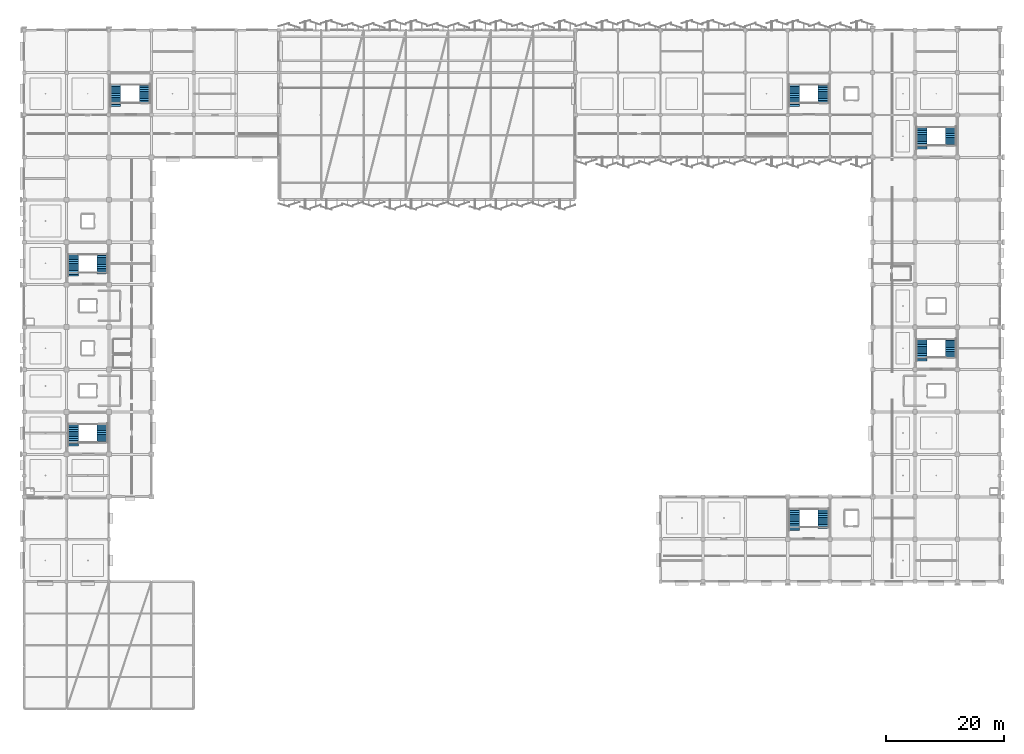
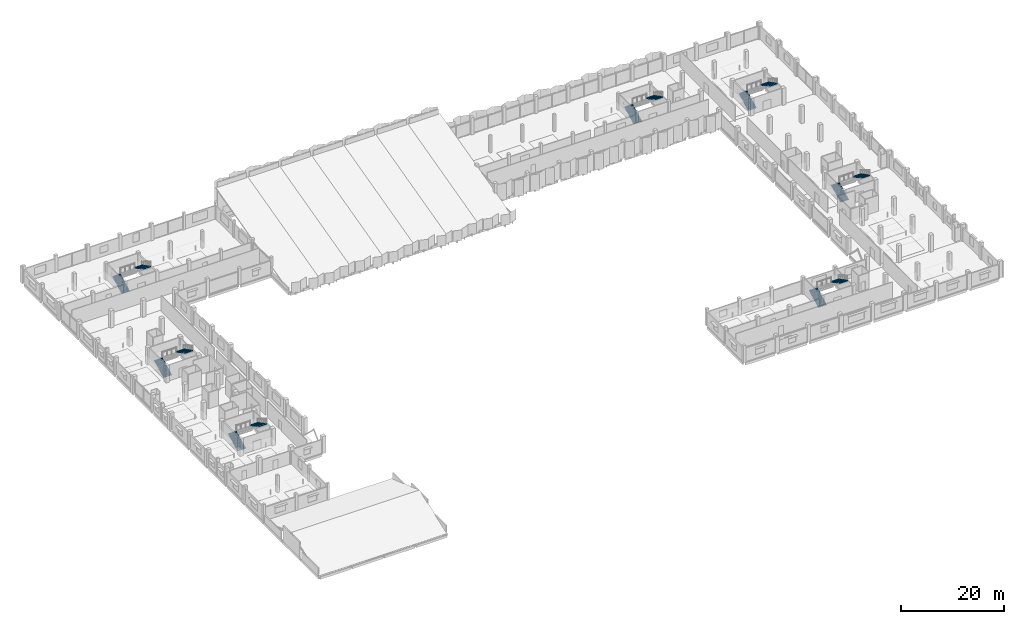
# One storey, part 88 of 108: 14 stair flights, 7 elements without a shape of their own.
"""IFC4 building model written with IfcOpenShell, lengths in metres."""

from ifc_helpers import new_model, si_unit, direction, frame, origin, place, context, subcontext, project, spatial, polyline, outline, extrude, material, type_object, element, aggregate, save


model = new_model("IFC4")

# Units and contexts
model_context = context("Model", 3, precision=1e-05, world=origin(), true_north=direction((0.0, 1.0)))
body_context = subcontext(model_context, "Body", "Model", "MODEL_VIEW")
ifc_project = project(units=[si_unit("LENGTHUNIT", "METRE"), si_unit("AREAUNIT", "SQUARE_METRE"), si_unit("VOLUMEUNIT", "CUBIC_METRE"), si_unit("PLANEANGLEUNIT", "RADIAN"), si_unit("MASSUNIT", "GRAM", prefix="KILO")], contexts=[model_context])

# Site, building, storey
site_placement = place(None, origin())
site = spatial("IfcSite", under=ifc_project, at=site_placement, CompositionType="ELEMENT")
building_placement = place(site_placement, origin())
building = spatial("IfcBuilding", under=site, at=building_placement, Name="Kangsadwip Square Police Headquarters", CompositionType="ELEMENT")
storey_placement = place(building_placement, frame((0.0, 0.0, 9.449951171875)))
storey = spatial("IfcBuildingStorey", under=building, at=storey_placement, Name="L02", CompositionType="ELEMENT", Elevation=9.449951171875)

# Stair, stair flight
ifc_material_1 = material(Name="Concrete M35 (35 MPa)", Category="concrete")
stair_type_1 = type_object("IfcStairType", Name="Stair2FlightSecW1800", PredefinedType="HALF_TURN_STAIR", material=ifc_material_1)
stair_1_placement = place(storey_placement, origin())
stair_1 = element("IfcStair", 1, at=stair_1_placement, inside=storey, type_object=stair_type_1, Name="Protected Stair ST-07 L02", PredefinedType="HALF_TURN_STAIR")
ifc_material_2 = material(Name="Concrete M35 (35 MPa)", Category="concrete")
stair_flight_type_1 = type_object("IfcStairFlightType", Name="Flight12RSecW1800", PredefinedType="STRAIGHT", material=ifc_material_2)
stair_flight_1_placement = place(storey_placement, frame((20.52001953125, 106.06005859375, 2.10595703125), z_axis=(0.0, 0.0, 1.0), x_axis=(0.0, -1.0, 0.0)))
stair_flight_1 = element("IfcStairFlight", 2, at=stair_flight_1_placement, type_object=stair_flight_type_1, Name="ST-07 flight 2", NumberOfRisers=12, NumberOfTreads=11, PredefinedType="STRAIGHT", RiserHeight=0.162, TreadLength=0.31, context=body_context, shape_type="SweptSolid", body=[
    extrude(outline(polyline([(0.0, 0.0), (0.0, 0.162109375), (0.31005859375, 0.162109375), (0.31005859375, 0.323974609375), (0.6201171875, 0.323974609375), (0.6201171875, 0.486083984375), (0.929931640625, 0.486083984375), (0.929931640625, 0.64794921875), (1.239990234375, 0.64794921875), (1.239990234375, 0.81005859375), (1.550048828125, 0.81005859375), (1.550048828125, 0.971923828125), (1.860107421875, 0.971923828125), (1.860107421875, 1.134033203125), (2.169921875, 1.134033203125), (2.169921875, 1.2958984375), (2.47998046875, 1.2958984375), (2.47998046875, 1.4580078125), (2.7900390625, 1.4580078125), (2.7900390625, 1.6201171875), (3.10009765625, 1.6201171875), (3.10009765625, 1.781982421875), (3.409912109375, 1.781982421875), (3.409912109375, 1.944091796875), (3.409912109375, 1.6015625), (0.34521484375, 0.0), (0.0, 0.0)])), frame((0.0, 0.89990234375, 0.0), z_axis=(0.0, -1.0, 0.0), x_axis=(1.0, 0.0, 0.0)), (0.0, 0.0, 1.0), 1.800048828125),
])

ifc_material_3 = material(Name="Concrete M35 (35 MPa)", Category="concrete")
stair_type_2 = type_object("IfcStairType", Name="Stair2FlightTypW1850", PredefinedType="HALF_TURN_STAIR", material=ifc_material_3)
stair_2_placement = place(storey_placement, origin())
stair_2 = element("IfcStair", 3, at=stair_2_placement, inside=storey, type_object=stair_type_2, Name="Protected Stair ST-01 L02", PredefinedType="HALF_TURN_STAIR")
ifc_material_4 = material(Name="Concrete M35 (35 MPa)", Category="concrete")
stair_flight_type_2 = type_object("IfcStairFlightType", Name="Flight12RTypW1850", PredefinedType="STRAIGHT", material=ifc_material_4)
stair_flight_2_placement = place(storey_placement, frame((13.294921875, 48.4599609375, 2.10595703125), z_axis=(0.0, 0.0, 1.0), x_axis=(0.0, -1.0, 0.0)))
stair_flight_2 = element("IfcStairFlight", 4, at=stair_flight_2_placement, type_object=stair_flight_type_2, Name="ST-01 flight 2", NumberOfRisers=12, NumberOfTreads=11, PredefinedType="STRAIGHT", RiserHeight=0.162, TreadLength=0.31, context=body_context, shape_type="SweptSolid", body=[
    extrude(outline(polyline([(0.0, 0.0), (0.0, 0.162109375), (0.31005859375, 0.162109375), (0.31005859375, 0.323974609375), (0.6201171875, 0.323974609375), (0.6201171875, 0.486083984375), (0.929931640625, 0.486083984375), (0.929931640625, 0.64794921875), (1.239990234375, 0.64794921875), (1.239990234375, 0.81005859375), (1.550048828125, 0.81005859375), (1.550048828125, 0.971923828125), (1.860107421875, 0.971923828125), (1.860107421875, 1.134033203125), (2.169921875, 1.134033203125), (2.169921875, 1.2958984375), (2.47998046875, 1.2958984375), (2.47998046875, 1.4580078125), (2.7900390625, 1.4580078125), (2.7900390625, 1.6201171875), (3.10009765625, 1.6201171875), (3.10009765625, 1.781982421875), (3.409912109375, 1.781982421875), (3.409912109375, 1.944091796875), (3.409912109375, 1.6015625), (0.34521484375, 0.0), (0.0, 0.0)])), frame((0.0, 0.925048828125, 0.0), z_axis=(0.0, -1.0, 0.0), x_axis=(1.0, 0.0, 0.0)), (0.0, 0.0, 1.0), 1.85009765625),
])

stair_3_placement = place(storey_placement, origin())
stair_3 = element("IfcStair", 5, at=stair_3_placement, inside=storey, type_object=stair_type_2, Name="Protected Stair ST-02 L02", PredefinedType="HALF_TURN_STAIR")
stair_flight_3_placement = place(storey_placement, frame((13.294921875, 77.260009765625, 2.10595703125), z_axis=(0.0, 0.0, 1.0), x_axis=(0.0, -1.0, 0.0)))
stair_flight_3 = element("IfcStairFlight", 6, at=stair_flight_3_placement, type_object=stair_flight_type_2, Name="ST-02 flight 2", NumberOfRisers=12, NumberOfTreads=11, PredefinedType="STRAIGHT", RiserHeight=0.162, TreadLength=0.31, context=body_context, shape_type="SweptSolid", body=[
    extrude(outline(polyline([(0.0, 0.0), (0.0, 0.162109375), (0.31005859375, 0.162109375), (0.31005859375, 0.323974609375), (0.6201171875, 0.323974609375), (0.6201171875, 0.486083984375), (0.929931640625, 0.486083984375), (0.929931640625, 0.64794921875), (1.239990234375, 0.64794921875), (1.239990234375, 0.81005859375), (1.550048828125, 0.81005859375), (1.550048828125, 0.971923828125), (1.860107421875, 0.971923828125), (1.860107421875, 1.134033203125), (2.169921875, 1.134033203125), (2.169921875, 1.2958984375), (2.47998046875, 1.2958984375), (2.47998046875, 1.4580078125), (2.7900390625, 1.4580078125), (2.7900390625, 1.6201171875), (3.10009765625, 1.6201171875), (3.10009765625, 1.781982421875), (3.409912109375, 1.781982421875), (3.409912109375, 1.944091796875), (3.409912109375, 1.6015625), (0.34521484375, 0.0), (0.0, 0.0)])), frame((0.0, 0.925048828125, 0.0), z_axis=(0.0, -1.0, 0.0), x_axis=(1.0, 0.0, 0.0)), (0.0, 0.0, 1.0), 1.85009765625),
])

stair_4_placement = place(storey_placement, origin())
stair_4 = element("IfcStair", 7, at=stair_4_placement, inside=storey, type_object=stair_type_2, Name="Protected Stair ST-03 L02", PredefinedType="HALF_TURN_STAIR")
stair_flight_4_placement = place(storey_placement, frame((157.294921875, 62.860107421875, 2.10595703125), z_axis=(0.0, 0.0, 1.0), x_axis=(0.0, -1.0, 0.0)))
stair_flight_4 = element("IfcStairFlight", 8, at=stair_flight_4_placement, type_object=stair_flight_type_2, Name="ST-03 flight 2", NumberOfRisers=12, NumberOfTreads=11, PredefinedType="STRAIGHT", RiserHeight=0.162, TreadLength=0.31, context=body_context, shape_type="SweptSolid", body=[
    extrude(outline(polyline([(0.0, 0.0), (0.0, 0.162109375), (0.31005859375, 0.162109375), (0.31005859375, 0.323974609375), (0.6201171875, 0.323974609375), (0.6201171875, 0.486083984375), (0.929931640625, 0.486083984375), (0.929931640625, 0.64794921875), (1.239990234375, 0.64794921875), (1.239990234375, 0.81005859375), (1.550048828125, 0.81005859375), (1.550048828125, 0.971923828125), (1.860107421875, 0.971923828125), (1.860107421875, 1.134033203125), (2.169921875, 1.134033203125), (2.169921875, 1.2958984375), (2.47998046875, 1.2958984375), (2.47998046875, 1.4580078125), (2.7900390625, 1.4580078125), (2.7900390625, 1.6201171875), (3.10009765625, 1.6201171875), (3.10009765625, 1.781982421875), (3.409912109375, 1.781982421875), (3.409912109375, 1.944091796875), (3.409912109375, 1.6015625), (0.34521484375, 0.0), (0.0, 0.0)])), frame((0.0, 0.925048828125, 0.0), z_axis=(0.0, -1.0, 0.0), x_axis=(1.0, 0.0, 0.0)), (0.0, 0.0, 1.0), 1.85009765625),
])

stair_5_placement = place(storey_placement, origin())
stair_5 = element("IfcStair", 9, at=stair_5_placement, inside=storey, type_object=stair_type_2, Name="Protected Stair ST-04 L02", PredefinedType="HALF_TURN_STAIR")
stair_flight_5_placement = place(storey_placement, frame((157.294921875, 98.860107421875, 2.10595703125), z_axis=(0.0, 0.0, 1.0), x_axis=(0.0, -1.0, 0.0)))
stair_flight_5 = element("IfcStairFlight", 10, at=stair_flight_5_placement, type_object=stair_flight_type_2, Name="ST-04 flight 2", NumberOfRisers=12, NumberOfTreads=11, PredefinedType="STRAIGHT", RiserHeight=0.162, TreadLength=0.31, context=body_context, shape_type="SweptSolid", body=[
    extrude(outline(polyline([(0.0, 0.0), (0.0, 0.162109375), (0.31005859375, 0.162109375), (0.31005859375, 0.323974609375), (0.6201171875, 0.323974609375), (0.6201171875, 0.486083984375), (0.929931640625, 0.486083984375), (0.929931640625, 0.64794921875), (1.239990234375, 0.64794921875), (1.239990234375, 0.81005859375), (1.550048828125, 0.81005859375), (1.550048828125, 0.971923828125), (1.860107421875, 0.971923828125), (1.860107421875, 1.134033203125), (2.169921875, 1.134033203125), (2.169921875, 1.2958984375), (2.47998046875, 1.2958984375), (2.47998046875, 1.4580078125), (2.7900390625, 1.4580078125), (2.7900390625, 1.6201171875), (3.10009765625, 1.6201171875), (3.10009765625, 1.781982421875), (3.409912109375, 1.781982421875), (3.409912109375, 1.944091796875), (3.409912109375, 1.6015625), (0.34521484375, 0.0), (0.0, 0.0)])), frame((0.0, 0.925048828125, 0.0), z_axis=(0.0, -1.0, 0.0), x_axis=(1.0, 0.0, 0.0)), (0.0, 0.0, 1.0), 1.85009765625),
])

stair_6_placement = place(storey_placement, origin())
stair_6 = element("IfcStair", 11, at=stair_6_placement, inside=storey, type_object=stair_type_2, Name="Protected Stair ST-05 L02", PredefinedType="HALF_TURN_STAIR")
stair_flight_6_placement = place(storey_placement, frame((135.695068359375, 106.06005859375, 2.10595703125), z_axis=(0.0, 0.0, 1.0), x_axis=(0.0, -1.0, 0.0)))
stair_flight_6 = element("IfcStairFlight", 12, at=stair_flight_6_placement, type_object=stair_flight_type_2, Name="ST-05 flight 2", NumberOfRisers=12, NumberOfTreads=11, PredefinedType="STRAIGHT", RiserHeight=0.162, TreadLength=0.31, context=body_context, shape_type="SweptSolid", body=[
    extrude(outline(polyline([(0.0, 0.0), (0.0, 0.162109375), (0.31005859375, 0.162109375), (0.31005859375, 0.323974609375), (0.6201171875, 0.323974609375), (0.6201171875, 0.486083984375), (0.929931640625, 0.486083984375), (0.929931640625, 0.64794921875), (1.239990234375, 0.64794921875), (1.239990234375, 0.81005859375), (1.550048828125, 0.81005859375), (1.550048828125, 0.971923828125), (1.860107421875, 0.971923828125), (1.860107421875, 1.134033203125), (2.169921875, 1.134033203125), (2.169921875, 1.2958984375), (2.47998046875, 1.2958984375), (2.47998046875, 1.4580078125), (2.7900390625, 1.4580078125), (2.7900390625, 1.6201171875), (3.10009765625, 1.6201171875), (3.10009765625, 1.781982421875), (3.409912109375, 1.781982421875), (3.409912109375, 1.944091796875), (3.409912109375, 1.6015625), (0.34521484375, 0.0), (0.0, 0.0)])), frame((0.0, 0.925048828125, 0.0), z_axis=(0.0, -1.0, 0.0), x_axis=(1.0, 0.0, 0.0)), (0.0, 0.0, 1.0), 1.85009765625),
])

stair_7_placement = place(storey_placement, origin())
stair_7 = element("IfcStair", 13, at=stair_7_placement, inside=storey, type_object=stair_type_2, Name="Protected Stair ST-06 L02", PredefinedType="HALF_TURN_STAIR")
stair_flight_7_placement = place(storey_placement, frame((135.695068359375, 34.06005859375, 2.10595703125), z_axis=(0.0, 0.0, 1.0), x_axis=(0.0, -1.0, 0.0)))
stair_flight_7 = element("IfcStairFlight", 14, at=stair_flight_7_placement, type_object=stair_flight_type_2, Name="ST-06 flight 2", NumberOfRisers=12, NumberOfTreads=11, PredefinedType="STRAIGHT", RiserHeight=0.162, TreadLength=0.31, context=body_context, shape_type="SweptSolid", body=[
    extrude(outline(polyline([(0.0, 0.0), (0.0, 0.162109375), (0.31005859375, 0.162109375), (0.31005859375, 0.323974609375), (0.6201171875, 0.323974609375), (0.6201171875, 0.486083984375), (0.929931640625, 0.486083984375), (0.929931640625, 0.64794921875), (1.239990234375, 0.64794921875), (1.239990234375, 0.81005859375), (1.550048828125, 0.81005859375), (1.550048828125, 0.971923828125), (1.860107421875, 0.971923828125), (1.860107421875, 1.134033203125), (2.169921875, 1.134033203125), (2.169921875, 1.2958984375), (2.47998046875, 1.2958984375), (2.47998046875, 1.4580078125), (2.7900390625, 1.4580078125), (2.7900390625, 1.6201171875), (3.10009765625, 1.6201171875), (3.10009765625, 1.781982421875), (3.409912109375, 1.781982421875), (3.409912109375, 1.944091796875), (3.409912109375, 1.6015625), (0.34521484375, 0.0), (0.0, 0.0)])), frame((0.0, 0.925048828125, 0.0), z_axis=(0.0, -1.0, 0.0), x_axis=(1.0, 0.0, 0.0)), (0.0, 0.0, 1.0), 1.85009765625),
])

# Stair flight
ifc_material_5 = material(Name="Concrete M35 (35 MPa)", Category="concrete")
stair_flight_type_3 = type_object("IfcStairFlightType", Name="Flight13RSecW1800", PredefinedType="STRAIGHT", material=ifc_material_5)
stair_flight_8_placement = place(storey_placement, frame((15.47998046875, 102.239990234375, 0.0), z_axis=(0.0, 0.0, 1.0), x_axis=(0.0, 1.0, 0.0)))
stair_flight_8 = element("IfcStairFlight", 15, at=stair_flight_8_placement, type_object=stair_flight_type_3, Name="ST-07 flight 1", NumberOfRisers=13, NumberOfTreads=12, PredefinedType="STRAIGHT", RiserHeight=0.162, TreadLength=0.31, context=body_context, shape_type="SweptSolid", body=[
    extrude(outline(polyline([(0.0, 0.0), (0.0, 0.162109375), (0.31005859375, 0.162109375), (0.31005859375, 0.323974609375), (0.6201171875, 0.323974609375), (0.6201171875, 0.486083984375), (0.929931640625, 0.486083984375), (0.929931640625, 0.64794921875), (1.239990234375, 0.64794921875), (1.239990234375, 0.81005859375), (1.550048828125, 0.81005859375), (1.550048828125, 0.971923828125), (1.860107421875, 0.971923828125), (1.860107421875, 1.134033203125), (2.169921875, 1.134033203125), (2.169921875, 1.2958984375), (2.47998046875, 1.2958984375), (2.47998046875, 1.4580078125), (2.7900390625, 1.4580078125), (2.7900390625, 1.6201171875), (3.10009765625, 1.6201171875), (3.10009765625, 1.781982421875), (3.409912109375, 1.781982421875), (3.409912109375, 1.944091796875), (3.719970703125, 1.944091796875), (3.719970703125, 2.10595703125), (3.719970703125, 1.763671875), (0.34521484375, 0.0), (0.0, 0.0)])), frame((0.0, 0.89990234375, 0.0), z_axis=(0.0, -1.0, 0.0), x_axis=(1.0, 0.0, 0.0)), (0.0, 0.0, 1.0), 1.800048828125),
])

aggregate(stair_1, [stair_flight_8, stair_flight_1])

ifc_material_6 = material(Name="Concrete M35 (35 MPa)", Category="concrete")
stair_flight_type_4 = type_object("IfcStairFlightType", Name="Flight13RTypW1850", PredefinedType="STRAIGHT", material=ifc_material_6)
stair_flight_9_placement = place(storey_placement, frame((8.304931640625, 44.639892578125, 0.0), z_axis=(0.0, 0.0, 1.0), x_axis=(0.0, 1.0, 0.0)))
stair_flight_9 = element("IfcStairFlight", 16, at=stair_flight_9_placement, type_object=stair_flight_type_4, Name="ST-01 flight 1", NumberOfRisers=13, NumberOfTreads=12, PredefinedType="STRAIGHT", RiserHeight=0.162, TreadLength=0.31, context=body_context, shape_type="SweptSolid", body=[
    extrude(outline(polyline([(0.0, 0.0), (0.0, 0.162109375), (0.31005859375, 0.162109375), (0.31005859375, 0.323974609375), (0.6201171875, 0.323974609375), (0.6201171875, 0.486083984375), (0.929931640625, 0.486083984375), (0.929931640625, 0.64794921875), (1.239990234375, 0.64794921875), (1.239990234375, 0.81005859375), (1.550048828125, 0.81005859375), (1.550048828125, 0.971923828125), (1.860107421875, 0.971923828125), (1.860107421875, 1.134033203125), (2.169921875, 1.134033203125), (2.169921875, 1.2958984375), (2.47998046875, 1.2958984375), (2.47998046875, 1.4580078125), (2.7900390625, 1.4580078125), (2.7900390625, 1.6201171875), (3.10009765625, 1.6201171875), (3.10009765625, 1.781982421875), (3.409912109375, 1.781982421875), (3.409912109375, 1.944091796875), (3.719970703125, 1.944091796875), (3.719970703125, 2.10595703125), (3.719970703125, 1.763671875), (0.34521484375, 0.0), (0.0, 0.0)])), frame((0.0, 0.925048828125, 0.0), z_axis=(0.0, -1.0, 0.0), x_axis=(1.0, 0.0, 0.0)), (0.0, 0.0, 1.0), 1.85009765625),
])

aggregate(stair_2, [stair_flight_9, stair_flight_2])

stair_flight_10_placement = place(storey_placement, frame((8.304931640625, 73.43994140625, 0.0), z_axis=(0.0, 0.0, 1.0), x_axis=(0.0, 1.0, 0.0)))
stair_flight_10 = element("IfcStairFlight", 17, at=stair_flight_10_placement, type_object=stair_flight_type_4, Name="ST-02 flight 1", NumberOfRisers=13, NumberOfTreads=12, PredefinedType="STRAIGHT", RiserHeight=0.162, TreadLength=0.31, context=body_context, shape_type="SweptSolid", body=[
    extrude(outline(polyline([(0.0, 0.0), (0.0, 0.162109375), (0.31005859375, 0.162109375), (0.31005859375, 0.323974609375), (0.6201171875, 0.323974609375), (0.6201171875, 0.486083984375), (0.929931640625, 0.486083984375), (0.929931640625, 0.64794921875), (1.239990234375, 0.64794921875), (1.239990234375, 0.81005859375), (1.550048828125, 0.81005859375), (1.550048828125, 0.971923828125), (1.860107421875, 0.971923828125), (1.860107421875, 1.134033203125), (2.169921875, 1.134033203125), (2.169921875, 1.2958984375), (2.47998046875, 1.2958984375), (2.47998046875, 1.4580078125), (2.7900390625, 1.4580078125), (2.7900390625, 1.6201171875), (3.10009765625, 1.6201171875), (3.10009765625, 1.781982421875), (3.409912109375, 1.781982421875), (3.409912109375, 1.944091796875), (3.719970703125, 1.944091796875), (3.719970703125, 2.10595703125), (3.719970703125, 1.763671875), (0.34521484375, 0.0), (0.0, 0.0)])), frame((0.0, 0.925048828125, 0.0), z_axis=(0.0, -1.0, 0.0), x_axis=(1.0, 0.0, 0.0)), (0.0, 0.0, 1.0), 1.85009765625),
])

aggregate(stair_3, [stair_flight_10, stair_flight_3])

stair_flight_11_placement = place(storey_placement, frame((152.304931640625, 59.0400390625, 0.0), z_axis=(0.0, 0.0, 1.0), x_axis=(0.0, 1.0, 0.0)))
stair_flight_11 = element("IfcStairFlight", 18, at=stair_flight_11_placement, type_object=stair_flight_type_4, Name="ST-03 flight 1", NumberOfRisers=13, NumberOfTreads=12, PredefinedType="STRAIGHT", RiserHeight=0.162, TreadLength=0.31, context=body_context, shape_type="SweptSolid", body=[
    extrude(outline(polyline([(0.0, 0.0), (0.0, 0.162109375), (0.31005859375, 0.162109375), (0.31005859375, 0.323974609375), (0.6201171875, 0.323974609375), (0.6201171875, 0.486083984375), (0.929931640625, 0.486083984375), (0.929931640625, 0.64794921875), (1.239990234375, 0.64794921875), (1.239990234375, 0.81005859375), (1.550048828125, 0.81005859375), (1.550048828125, 0.971923828125), (1.860107421875, 0.971923828125), (1.860107421875, 1.134033203125), (2.169921875, 1.134033203125), (2.169921875, 1.2958984375), (2.47998046875, 1.2958984375), (2.47998046875, 1.4580078125), (2.7900390625, 1.4580078125), (2.7900390625, 1.6201171875), (3.10009765625, 1.6201171875), (3.10009765625, 1.781982421875), (3.409912109375, 1.781982421875), (3.409912109375, 1.944091796875), (3.719970703125, 1.944091796875), (3.719970703125, 2.10595703125), (3.719970703125, 1.763671875), (0.34521484375, 0.0), (0.0, 0.0)])), frame((0.0, 0.925048828125, 0.0), z_axis=(0.0, -1.0, 0.0), x_axis=(1.0, 0.0, 0.0)), (0.0, 0.0, 1.0), 1.85009765625),
])

aggregate(stair_4, [stair_flight_11, stair_flight_4])

stair_flight_12_placement = place(storey_placement, frame((152.304931640625, 95.0400390625, 0.0), z_axis=(0.0, 0.0, 1.0), x_axis=(0.0, 1.0, 0.0)))
stair_flight_12 = element("IfcStairFlight", 19, at=stair_flight_12_placement, type_object=stair_flight_type_4, Name="ST-04 flight 1", NumberOfRisers=13, NumberOfTreads=12, PredefinedType="STRAIGHT", RiserHeight=0.162, TreadLength=0.31, context=body_context, shape_type="SweptSolid", body=[
    extrude(outline(polyline([(0.0, 0.0), (0.0, 0.162109375), (0.31005859375, 0.162109375), (0.31005859375, 0.323974609375), (0.6201171875, 0.323974609375), (0.6201171875, 0.486083984375), (0.929931640625, 0.486083984375), (0.929931640625, 0.64794921875), (1.239990234375, 0.64794921875), (1.239990234375, 0.81005859375), (1.550048828125, 0.81005859375), (1.550048828125, 0.971923828125), (1.860107421875, 0.971923828125), (1.860107421875, 1.134033203125), (2.169921875, 1.134033203125), (2.169921875, 1.2958984375), (2.47998046875, 1.2958984375), (2.47998046875, 1.4580078125), (2.7900390625, 1.4580078125), (2.7900390625, 1.6201171875), (3.10009765625, 1.6201171875), (3.10009765625, 1.781982421875), (3.409912109375, 1.781982421875), (3.409912109375, 1.944091796875), (3.719970703125, 1.944091796875), (3.719970703125, 2.10595703125), (3.719970703125, 1.763671875), (0.34521484375, 0.0), (0.0, 0.0)])), frame((0.0, 0.925048828125, 0.0), z_axis=(0.0, -1.0, 0.0), x_axis=(1.0, 0.0, 0.0)), (0.0, 0.0, 1.0), 1.85009765625),
])

aggregate(stair_5, [stair_flight_12, stair_flight_5])

stair_flight_13_placement = place(storey_placement, frame((130.705078125, 102.239990234375, 0.0), z_axis=(0.0, 0.0, 1.0), x_axis=(0.0, 1.0, 0.0)))
stair_flight_13 = element("IfcStairFlight", 20, at=stair_flight_13_placement, type_object=stair_flight_type_4, Name="ST-05 flight 1", NumberOfRisers=13, NumberOfTreads=12, PredefinedType="STRAIGHT", RiserHeight=0.162, TreadLength=0.31, context=body_context, shape_type="SweptSolid", body=[
    extrude(outline(polyline([(0.0, 0.0), (0.0, 0.162109375), (0.31005859375, 0.162109375), (0.31005859375, 0.323974609375), (0.6201171875, 0.323974609375), (0.6201171875, 0.486083984375), (0.929931640625, 0.486083984375), (0.929931640625, 0.64794921875), (1.239990234375, 0.64794921875), (1.239990234375, 0.81005859375), (1.550048828125, 0.81005859375), (1.550048828125, 0.971923828125), (1.860107421875, 0.971923828125), (1.860107421875, 1.134033203125), (2.169921875, 1.134033203125), (2.169921875, 1.2958984375), (2.47998046875, 1.2958984375), (2.47998046875, 1.4580078125), (2.7900390625, 1.4580078125), (2.7900390625, 1.6201171875), (3.10009765625, 1.6201171875), (3.10009765625, 1.781982421875), (3.409912109375, 1.781982421875), (3.409912109375, 1.944091796875), (3.719970703125, 1.944091796875), (3.719970703125, 2.10595703125), (3.719970703125, 1.763671875), (0.34521484375, 0.0), (0.0, 0.0)])), frame((0.0, 0.925048828125, 0.0), z_axis=(0.0, -1.0, 0.0), x_axis=(1.0, 0.0, 0.0)), (0.0, 0.0, 1.0), 1.85009765625),
])

aggregate(stair_6, [stair_flight_13, stair_flight_6])

stair_flight_14_placement = place(storey_placement, frame((130.705078125, 30.239990234375, 0.0), z_axis=(0.0, 0.0, 1.0), x_axis=(0.0, 1.0, 0.0)))
stair_flight_14 = element("IfcStairFlight", 21, at=stair_flight_14_placement, type_object=stair_flight_type_4, Name="ST-06 flight 1", NumberOfRisers=13, NumberOfTreads=12, PredefinedType="STRAIGHT", RiserHeight=0.162, TreadLength=0.31, context=body_context, shape_type="SweptSolid", body=[
    extrude(outline(polyline([(0.0, 0.0), (0.0, 0.162109375), (0.31005859375, 0.162109375), (0.31005859375, 0.323974609375), (0.6201171875, 0.323974609375), (0.6201171875, 0.486083984375), (0.929931640625, 0.486083984375), (0.929931640625, 0.64794921875), (1.239990234375, 0.64794921875), (1.239990234375, 0.81005859375), (1.550048828125, 0.81005859375), (1.550048828125, 0.971923828125), (1.860107421875, 0.971923828125), (1.860107421875, 1.134033203125), (2.169921875, 1.134033203125), (2.169921875, 1.2958984375), (2.47998046875, 1.2958984375), (2.47998046875, 1.4580078125), (2.7900390625, 1.4580078125), (2.7900390625, 1.6201171875), (3.10009765625, 1.6201171875), (3.10009765625, 1.781982421875), (3.409912109375, 1.781982421875), (3.409912109375, 1.944091796875), (3.719970703125, 1.944091796875), (3.719970703125, 2.10595703125), (3.719970703125, 1.763671875), (0.34521484375, 0.0), (0.0, 0.0)])), frame((0.0, 0.925048828125, 0.0), z_axis=(0.0, -1.0, 0.0), x_axis=(1.0, 0.0, 0.0)), (0.0, 0.0, 1.0), 1.85009765625),
])

aggregate(stair_7, [stair_flight_14, stair_flight_7])

save(model, "model.ifc")
